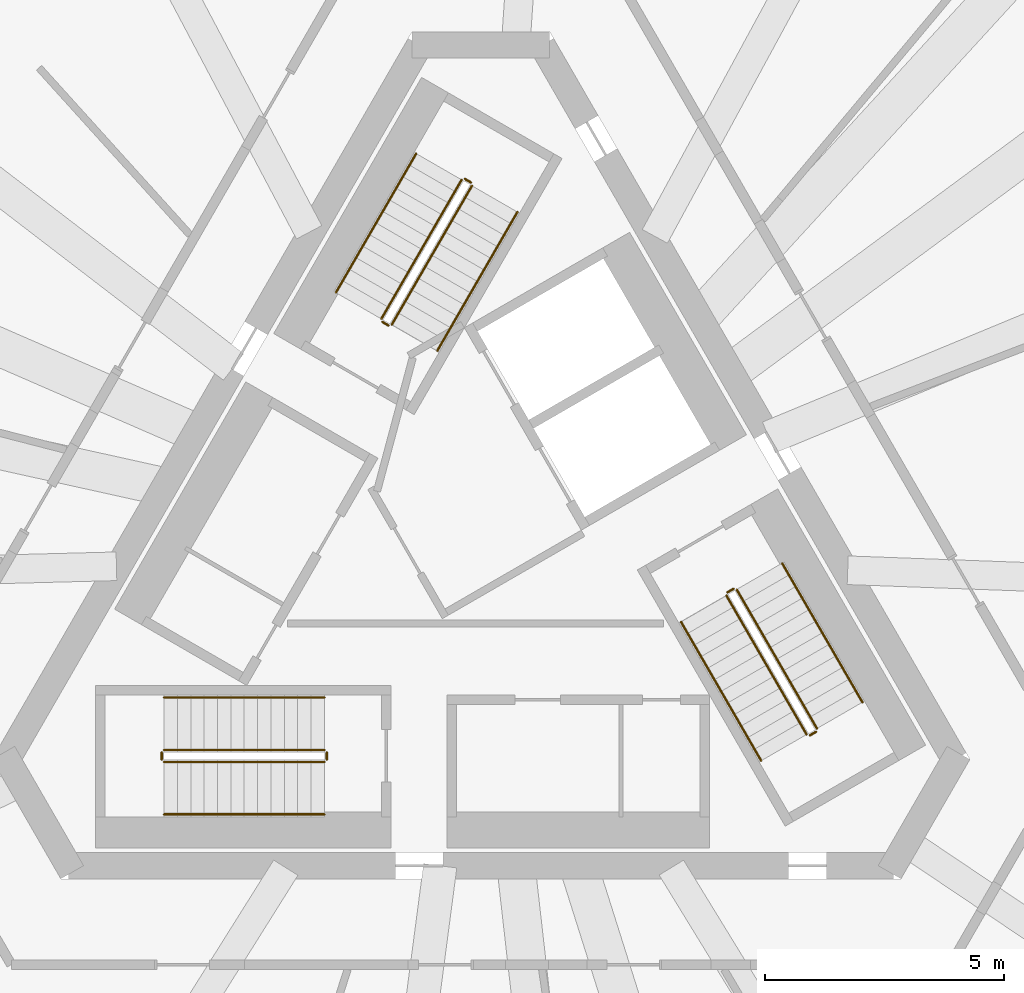
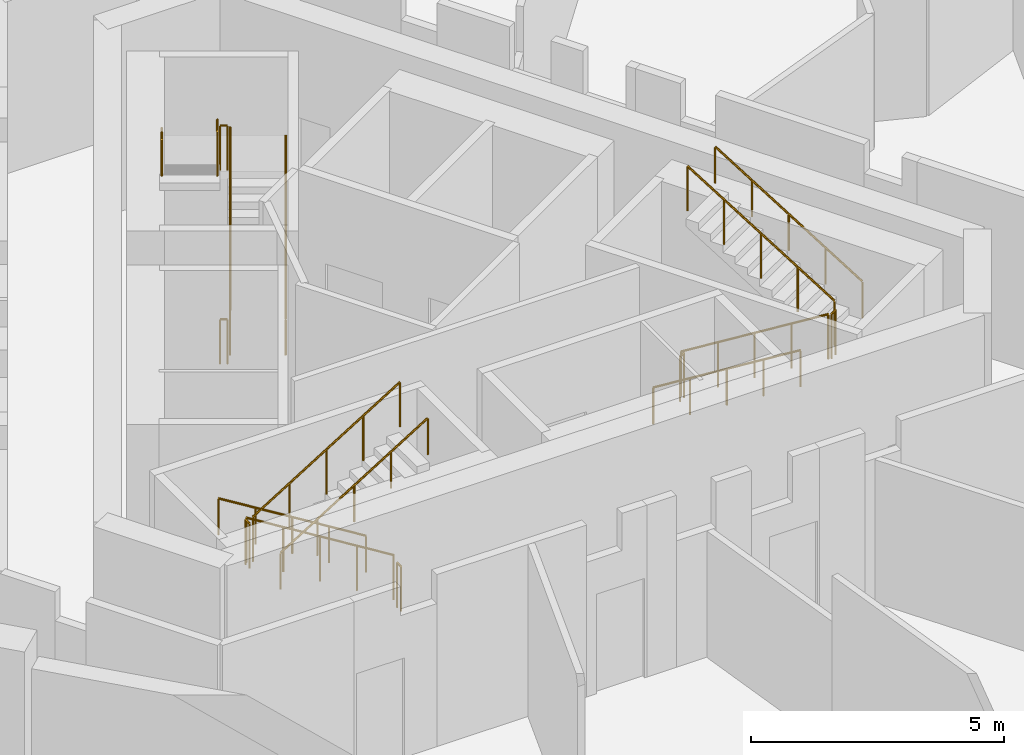
# One storey, part 5 of 5: 18 railings.
"""IFC4 building model written with IfcOpenShell, lengths in metres."""

import ifcopenshell
import ifcopenshell.guid

model = None  # the IFC model being written
_history = None  # IfcOwnerHistory: only IFC2X3 demands one
_inside = {}  # id of a spatial element -> (the spatial element, [elements in it])
_under = {}  # id of a project, library or spatial element -> (it, [spatial elements below it])
_declared = {}  # id of a project -> (the project, [libraries it declares])
_typed = {}  # id of a type object -> (the type object, [elements of that type])
_made_of = {}  # id of a material, layer set ... -> (it, [elements and type objects made of it])


def new_model(schema):
    """Start an empty IFC model of exactly this schema.

    Asked for "IFC4X3", IfcOpenShell would pick the latest addendum, in which some entities
    have other attributes; the version numbers below select the first issue.
    IFC2X3 requires an IfcOwnerHistory on every rooted entity: one is made here for all.
    """
    global model, _history
    if schema == "IFC4X3":
        model = ifcopenshell.file(schema_version=(4, 3, 0, 0))
    else:
        model = ifcopenshell.file(schema=schema)
    _inside.clear()
    _under.clear()
    _declared.clear()
    _typed.clear()
    _made_of.clear()
    _history = None
    if model.schema == "IFC2X3":
        org = make("IfcOrganization", Name="unknown")
        user = make(
            "IfcPersonAndOrganization",
            ThePerson=make("IfcPerson", FamilyName="unknown"),
            TheOrganization=org,
        )
        app = make(
            "IfcApplication",
            ApplicationDeveloper=org,
            Version="unknown",
            ApplicationFullName="unknown",
            ApplicationIdentifier="unknown",
        )
        _history = make(
            "IfcOwnerHistory",
            OwningUser=user,
            OwningApplication=app,
            ChangeAction="ADDED",
            CreationDate=0,
        )
    return model


def make(cls, **values):
    """One entity of the class cls with the attributes given. An attribute that is None is left unset."""
    return model.create_entity(
        cls, **{name: value for name, value in values.items() if value is not None}
    )


def rooted(cls, **values):
    """An entity with a GlobalId (a new one), such as an element, a storey or a relation."""
    return make(cls, GlobalId=ifcopenshell.guid.new(), OwnerHistory=_history, **values)


def si_unit(unit_type, name, prefix=None):
    """IfcSIUnit, for example si_unit("LENGTHUNIT", "METRE", prefix="MILLI")."""
    return make("IfcSIUnit", UnitType=unit_type, Prefix=prefix, Name=name)


def assignment(units):
    """IfcUnitAssignment: the units of a project."""
    return None if units is None else make("IfcUnitAssignment", Units=units)


def point(xyz):
    """IfcCartesianPoint."""
    return None if xyz is None else make("IfcCartesianPoint", Coordinates=xyz)


def direction(xyz):
    """IfcDirection."""
    return None if xyz is None else make("IfcDirection", DirectionRatios=xyz)


def frame(location, z_axis=None, x_axis=None):
    """IfcAxis2Placement3D, a coordinate frame: its origin and axes. An axis left out is left unset."""
    return make(
        "IfcAxis2Placement3D",
        Location=point(location),
        Axis=direction(z_axis),
        RefDirection=direction(x_axis),
    )


def frame_2d(location, x_axis=None):
    """IfcAxis2Placement2D, a coordinate frame in the plane: its origin and x axis."""
    return make(
        "IfcAxis2Placement2D", Location=point(location), RefDirection=direction(x_axis)
    )


def origin():
    """The frame at (0, 0, 0) with its axes left unset."""
    return frame((0.0, 0.0, 0.0))


def origin_2d():
    """The frame at (0, 0) in the plane with its x axis left unset."""
    return frame_2d((0.0, 0.0))


def place(relative_to, where):
    """IfcLocalPlacement: puts the frame where relative to a parent placement (None: the world)."""
    return make(
        "IfcLocalPlacement", PlacementRelTo=relative_to, RelativePlacement=where
    )


def context(
    kind, dimensions, precision=None, world=None, true_north=None, identifier=None
):
    """IfcGeometricRepresentationContext, for example the 3D "Model" context."""
    return make(
        "IfcGeometricRepresentationContext",
        ContextIdentifier=identifier,
        ContextType=kind,
        CoordinateSpaceDimension=dimensions,
        Precision=precision,
        WorldCoordinateSystem=world,
        TrueNorth=true_north,
    )


def subcontext(parent, identifier, kind, view, scale=None):
    """IfcGeometricRepresentationSubContext, for example "Body" below "Model"."""
    return make(
        "IfcGeometricRepresentationSubContext",
        ContextIdentifier=identifier,
        ContextType=kind,
        ParentContext=parent,
        TargetScale=scale,
        TargetView=view,
    )


def project(units=None, contexts=None):
    """IfcProject with its units and contexts."""
    return rooted(
        "IfcProject",
        Name="project",
        RepresentationContexts=contexts,
        UnitsInContext=assignment(units),
    )


def spatial(cls, under=None, at=None, **own):
    """A site, building, storey or space (cls), placed at a placement, below another one or the project."""
    s = rooted(cls, ObjectPlacement=at, **own)
    if under is not None:
        _under.setdefault(under.id(), (under, []))[1].append(s)
    return s


def profile(cls, at=None, kind="AREA", **sizes):
    """A parametric profile (cls). Its sizes go by their IFC names, for example OverallWidth=200.0."""
    return make(cls, ProfileType=kind, Position=at, **sizes)


def circle(**sizes):
    """IfcCircleProfileDef."""
    return profile("IfcCircleProfileDef", **sizes)


def extrude(swept, where, along, depth):
    """IfcExtrudedAreaSolid: the profile swept, set in the frame where, extruded along a direction by depth."""
    return make(
        "IfcExtrudedAreaSolid",
        SweptArea=swept,
        Position=where,
        ExtrudedDirection=direction(along),
        Depth=depth,
    )


def shape(context_of_items, identifier, shape_type, items):
    """IfcShapeRepresentation: the items that make up one representation, for example the "Body"."""
    return make(
        "IfcShapeRepresentation",
        ContextOfItems=context_of_items,
        RepresentationIdentifier=identifier,
        RepresentationType=shape_type,
        Items=items,
    )


def material(Name=None, Category=None):
    """IfcMaterial."""
    return make("IfcMaterial", Name=Name, Category=Category)


def made_of(thing, what):
    """Note that an element or type object is made of a material, layer set ...; save() writes the relation."""
    if what is not None:
        _made_of.setdefault(what.id(), (what, []))[1].append(thing)
    return thing


def type_object(cls, material=None, **own):
    """A type object (cls), such as IfcWallType, which elements share."""
    return made_of(rooted(cls, **own), material)


def element(
    cls,
    number,
    at=None,
    inside=None,
    cuts=None,
    type_object=None,
    material=None,
    context=None,
    identifier="Body",
    shape_type=None,
    held_by="IfcProductDefinitionShape",
    body=None,
    shapes=None,
    **own,
):
    """One element of the class cls, such as IfcWall. Its Tag is "e" and its number.

    at: its placement. inside: the storey or other place that contains it. cuts: it is an
    opening in that element (IfcRelVoidsElement). A single representation is given by context,
    identifier, shape_type and body (its items); several are given by shapes. held_by: the class
    of the entity that holds the representations. save() writes the other relations.
    """
    e = rooted(cls, Tag="e%d" % number, ObjectPlacement=at, **own)
    if body is not None:
        shapes = [shape(context, identifier, shape_type, body)]
    if shapes is not None:
        e.Representation = make(held_by, Representations=shapes)
    if inside is not None:
        _inside.setdefault(inside.id(), (inside, []))[1].append(e)
    if cuts is not None:
        rooted(
            "IfcRelVoidsElement", RelatingBuildingElement=cuts, RelatedOpeningElement=e
        )
    if type_object is not None:
        _typed.setdefault(type_object.id(), (type_object, []))[1].append(e)
    return made_of(e, material)


def aggregate(whole, parts):
    """IfcRelAggregates: a whole, such as a stair, and the parts it consists of."""
    return rooted("IfcRelAggregates", RelatingObject=whole, RelatedObjects=parts)


def save(model, path):
    """Write the relations noted so far, then the file.

    IfcRelAggregates (storeys below a building ...), IfcRelContainedInSpatialStructure (elements
    in a storey), IfcRelDefinesByType, IfcRelAssociatesMaterial and IfcRelDeclares: one each for
    every whole, place, type object, material and project.
    """
    for whole, parts in _under.values():
        aggregate(whole, parts)
    for where, things in _inside.values():
        rooted(
            "IfcRelContainedInSpatialStructure",
            RelatedElements=things,
            RelatingStructure=where,
        )
    for kind, things in _typed.values():
        rooted("IfcRelDefinesByType", RelatedObjects=things, RelatingType=kind)
    for what, things in _made_of.values():
        rooted("IfcRelAssociatesMaterial", RelatedObjects=things, RelatingMaterial=what)
    for by, libraries in _declared.values():
        rooted("IfcRelDeclares", RelatingContext=by, RelatedDefinitions=libraries)
    model.write(path)


model = new_model("IFC4")

# Units and contexts
model_context = context("Model", 3, precision=1e-05, world=origin(), true_north=direction((0.0, 1.0)))
body_context = subcontext(model_context, "Body", "Model", "MODEL_VIEW")
ifc_project = project(units=[si_unit("LENGTHUNIT", "METRE"), si_unit("AREAUNIT", "SQUARE_METRE"), si_unit("VOLUMEUNIT", "CUBIC_METRE"), si_unit("PLANEANGLEUNIT", "RADIAN"), si_unit("MASSUNIT", "GRAM", prefix="KILO")], contexts=[model_context])

# Site, building, storey
site_placement = place(None, origin())
site = spatial("IfcSite", under=ifc_project, at=site_placement, CompositionType="ELEMENT")
building_placement = place(site_placement, origin())
building = spatial("IfcBuilding", under=site, at=building_placement, Name="Tramontana Tower", CompositionType="ELEMENT")
storey_placement = place(building_placement, frame((0.0, 0.0, 365.89990234375)))
storey = spatial("IfcBuildingStorey", under=building, at=storey_placement, Name="L84", CompositionType="ELEMENT", Elevation=365.89990234375)

# Railings
ifc_material_1 = material(Name="Painted steel", Category="steel")
railing_type_1 = type_object("IfcRailingType", Name="STAIR GUARD 1100", PredefinedType="GUARDRAIL", material=ifc_material_1)
railing_1_placement = place(storey_placement, frame((-1.867431640625, 4.865478515625, 0.173095703125)))
element("IfcRailing", 1, at=railing_1_placement, inside=storey, type_object=railing_type_1, Name="L84 ST1 stair guard 1", PredefinedType="GUARDRAIL", context=body_context, shape_type="SweptSolid", body=[
    extrude(circle(Radius=0.02392578125, at=origin_2d()), frame((0.0, 0.0, 1.076171875), z_axis=(0.425288379326, 0.736667954249, 0.525785240943), x_axis=(-0.866039179741, 0.499976138585, 0.0)), (0.0, 0.0, 1.0), 3.9501953125),
    extrude(circle(Radius=0.02099609375, at=origin_2d()), origin(), (0.0, 0.0, 1.0), 1.052001953125),
    extrude(circle(Radius=0.02099609375, at=origin_2d()), frame((0.419921875, 0.7275390625, 0.519287109375)), (0.0, 0.0, 1.0), 1.052001953125),
    extrude(circle(Radius=0.02099609375, at=origin_2d()), frame((0.83984375, 1.455078125, 1.03857421875)), (0.0, 0.0, 1.0), 1.052001953125),
    extrude(circle(Radius=0.02099609375, at=origin_2d()), frame((1.260009765625, 2.182373046875, 1.5576171875)), (0.0, 0.0, 1.0), 1.052001953125),
    extrude(circle(Radius=0.02099609375, at=origin_2d()), frame((1.679931640625, 2.909912109375, 2.076904296875)), (0.0, 0.0, 1.0), 1.052001953125),
])
railing_2_placement = place(storey_placement, frame((-0.40380859375, 7.900390625, 2.423095703125)))
element("IfcRailing", 2, at=railing_2_placement, inside=storey, type_object=railing_type_1, Name="L84 ST1 stair guard 2", PredefinedType="GUARDRAIL", context=body_context, shape_type="SweptSolid", body=[
    extrude(circle(Radius=0.02392578125, at=origin_2d()), frame((0.0, 0.0, 1.076171875), z_axis=(-0.42533900462, -0.736648589954, 0.52577141998), x_axis=(0.866007717299, -0.500030632641, 0.0)), (0.0, 0.0, 1.0), 3.9501953125),
    extrude(circle(Radius=0.02099609375, at=origin_2d()), origin(), (0.0, 0.0, 1.0), 1.052001953125),
    extrude(circle(Radius=0.02099609375, at=origin_2d()), frame((-0.419921875, -0.7275390625, 0.519287109375)), (0.0, 0.0, 1.0), 1.052001953125),
    extrude(circle(Radius=0.02099609375, at=origin_2d()), frame((-0.840087890625, -1.455078125, 1.03857421875)), (0.0, 0.0, 1.0), 1.052001953125),
    extrude(circle(Radius=0.02099609375, at=origin_2d()), frame((-1.26025390625, -2.182373046875, 1.5576171875)), (0.0, 0.0, 1.0), 1.052001953125),
    extrude(circle(Radius=0.02099609375, at=origin_2d()), frame((-1.68017578125, -2.909912109375, 2.076904296875)), (0.0, 0.0, 1.0), 1.052001953125),
])
railing_3_placement = place(storey_placement, frame((-0.205810546875, 7.84375, 2.25)))
element("IfcRailing", 3, at=railing_3_placement, inside=storey, type_object=railing_type_1, Name="L84 ST1 stair guard 3", PredefinedType="GUARDRAIL", context=body_context, shape_type="SweptSolid", body=[
    extrude(circle(Radius=0.02392578125, at=origin_2d()), frame((0.0, 0.0, 1.076171875), z_axis=(-0.866131372301, 0.499816412211, 0.0), x_axis=(-0.499816412211, -0.866131372301, 0.0)), (0.0, 0.0, 1.0), 0.14990234375),
    extrude(circle(Radius=0.02099609375, at=origin_2d()), origin(), (0.0, 0.0, 1.0), 1.052001953125),
    extrude(circle(Radius=0.02099609375, at=origin_2d()), frame((-0.1298828125, 0.074951171875, 0.0)), (0.0, 0.0, 1.0), 1.052001953125),
])
railing_4_placement = place(storey_placement, frame((-1.935791015625, 4.84716796875, 0.0)))
element("IfcRailing", 4, at=railing_4_placement, inside=storey, type_object=railing_type_1, Name="L84 ST1 stair guard 4", PredefinedType="GUARDRAIL", context=body_context, shape_type="SweptSolid", body=[
    extrude(circle(Radius=0.02392578125, at=origin_2d()), frame((0.0, 0.0, 1.076171875), z_axis=(-0.865426285481, 0.501036270542, 0.0), x_axis=(-0.501036270542, -0.865426285481, 0.0)), (0.0, 0.0, 1.0), 0.150146484375),
    extrude(circle(Radius=0.02099609375, at=origin_2d()), origin(), (0.0, 0.0, 1.0), 1.052001953125),
    extrude(circle(Radius=0.02099609375, at=origin_2d()), frame((-0.1298828125, 0.0751953125, 0.0)), (0.0, 0.0, 1.0), 1.052001953125),
])
railing_5_placement = place(storey_placement, frame((-3.280029296875, -4.050048828125, 0.173095703125)))
element("IfcRailing", 5, at=railing_5_placement, inside=storey, type_object=railing_type_1, Name="L84 ST2 stair guard 1", PredefinedType="GUARDRAIL", context=body_context, shape_type="SweptSolid", body=[
    extrude(circle(Radius=0.02392578125, at=origin_2d()), frame((0.0, 0.0, 1.076171875), z_axis=(-0.850606129759, 0.0, 0.525803396734), x_axis=(0.0, -1.0, 0.0)), (0.0, 0.0, 1.0), 3.949951171875),
    extrude(circle(Radius=0.02099609375, at=origin_2d()), origin(), (0.0, 0.0, 1.0), 1.052001953125),
    extrude(circle(Radius=0.02099609375, at=origin_2d()), frame((-0.83984375, 0.0, 0.519287109375)), (0.0, 0.0, 1.0), 1.052001953125),
    extrude(circle(Radius=0.02099609375, at=origin_2d()), frame((-1.679931640625, 0.0, 1.03857421875)), (0.0, 0.0, 1.0), 1.052001953125),
    extrude(circle(Radius=0.02099609375, at=origin_2d()), frame((-2.52001953125, 0.0, 1.5576171875)), (0.0, 0.0, 1.0), 1.052001953125),
    extrude(circle(Radius=0.02099609375, at=origin_2d()), frame((-3.35986328125, 0.0, 2.076904296875)), (0.0, 0.0, 1.0), 1.052001953125),
])
railing_6_placement = place(storey_placement, frame((-6.639892578125, -4.300048828125, 2.423095703125)))
element("IfcRailing", 6, at=railing_6_placement, inside=storey, type_object=railing_type_1, Name="L84 ST2 stair guard 2", PredefinedType="GUARDRAIL", context=body_context, shape_type="SweptSolid", body=[
    extrude(circle(Radius=0.02392578125, at=origin_2d()), frame((0.0, 0.0, 1.076171875), z_axis=(0.850606129759, 0.0, 0.525803396734), x_axis=(0.0, 1.0, 0.0)), (0.0, 0.0, 1.0), 3.949951171875),
    extrude(circle(Radius=0.02099609375, at=origin_2d()), origin(), (0.0, 0.0, 1.0), 1.052001953125),
    extrude(circle(Radius=0.02099609375, at=origin_2d()), frame((0.83984375, 0.0, 0.519287109375)), (0.0, 0.0, 1.0), 1.052001953125),
    extrude(circle(Radius=0.02099609375, at=origin_2d()), frame((1.679931640625, 0.0, 1.03857421875)), (0.0, 0.0, 1.0), 1.052001953125),
    extrude(circle(Radius=0.02099609375, at=origin_2d()), frame((2.52001953125, 0.0, 1.5576171875)), (0.0, 0.0, 1.0), 1.052001953125),
    extrude(circle(Radius=0.02099609375, at=origin_2d()), frame((3.35986328125, 0.0, 2.076904296875)), (0.0, 0.0, 1.0), 1.052001953125),
])
for number, where, name in (
    (7, (-6.68994140625, -4.10009765625, 2.25), "L84 ST2 stair guard 3"),
    (8, (-3.22998046875, -4.10009765625, 0.0), "L84 ST2 stair guard 4"),
):
    element("IfcRailing", number, at=place(storey_placement, frame(where)), inside=storey, type_object=railing_type_1, Name=name, PredefinedType="GUARDRAIL", context=body_context, shape_type="SweptSolid", body=[
        extrude(circle(Radius=0.02392578125, at=origin_2d()), frame((0.0, 0.0, 1.076171875), z_axis=(0.0, -1.0, 0.0), x_axis=(1.0, 0.0, 0.0)), (0.0, 0.0, 1.0), 0.14990234375),
        extrude(circle(Radius=0.02099609375, at=origin_2d()), origin(), (0.0, 0.0, 1.0), 1.052001953125),
        extrude(circle(Radius=0.02099609375, at=origin_2d()), frame((0.0, -0.14990234375, 0.0)), (0.0, 0.0, 1.0), 1.052001953125),
    ])
railing_7_placement = place(storey_placement, frame((5.1474609375, -0.815673828125, 0.173095703125)))
element("IfcRailing", 9, at=railing_7_placement, inside=storey, type_object=railing_type_1, Name="L84 ST3 stair guard 1", PredefinedType="GUARDRAIL", context=body_context, shape_type="SweptSolid", body=[
    extrude(circle(Radius=0.02392578125, at=origin_2d()), frame((0.0, 0.0, 1.076171875), z_axis=(0.425307743487, -0.736639687092, 0.525809180911), x_axis=(0.866021014662, 0.500007602105, 0.0)), (0.0, 0.0, 1.0), 3.949951171875),
    extrude(circle(Radius=0.02099609375, at=origin_2d()), origin(), (0.0, 0.0, 1.0), 1.052001953125),
    extrude(circle(Radius=0.02099609375, at=origin_2d()), frame((0.419921875, -0.7275390625, 0.519287109375)), (0.0, 0.0, 1.0), 1.052001953125),
    extrude(circle(Radius=0.02099609375, at=origin_2d()), frame((0.83984375, -1.454833984375, 1.03857421875)), (0.0, 0.0, 1.0), 1.052001953125),
    extrude(circle(Radius=0.02099609375, at=origin_2d()), frame((1.260009765625, -2.18212890625, 1.5576171875)), (0.0, 0.0, 1.0), 1.052001953125),
    extrude(circle(Radius=0.02099609375, at=origin_2d()), frame((1.679931640625, -2.90966796875, 2.076904296875)), (0.0, 0.0, 1.0), 1.052001953125),
])
railing_8_placement = place(storey_placement, frame((7.0439453125, -3.600341796875, 2.423095703125)))
element("IfcRailing", 10, at=railing_8_placement, inside=storey, type_object=railing_type_1, Name="L84 ST3 stair guard 2", PredefinedType="GUARDRAIL", context=body_context, shape_type="SweptSolid", body=[
    extrude(circle(Radius=0.02392578125, at=origin_2d()), frame((0.0, 0.0, 1.076171875), z_axis=(-0.425307743487, 0.736639687092, 0.525809180911), x_axis=(-0.866021014662, -0.500007602105, 0.0)), (0.0, 0.0, 1.0), 3.949951171875),
    extrude(circle(Radius=0.02099609375, at=origin_2d()), origin(), (0.0, 0.0, 1.0), 1.052001953125),
    extrude(circle(Radius=0.02099609375, at=origin_2d()), frame((-0.419921875, 0.7275390625, 0.519287109375)), (0.0, 0.0, 1.0), 1.052001953125),
    extrude(circle(Radius=0.02099609375, at=origin_2d()), frame((-0.83984375, 1.454833984375, 1.03857421875)), (0.0, 0.0, 1.0), 1.052001953125),
    extrude(circle(Radius=0.02099609375, at=origin_2d()), frame((-1.260009765625, 2.18212890625, 1.5576171875)), (0.0, 0.0, 1.0), 1.052001953125),
    extrude(circle(Radius=0.02099609375, at=origin_2d()), frame((-1.679931640625, 2.90966796875, 2.076904296875)), (0.0, 0.0, 1.0), 1.052001953125),
])
for number, where, name in (
    (11, (6.895751953125, -3.74365234375, 2.25), "L84 ST3 stair guard 3"),
    (12, (5.165771484375, -0.747314453125, 0.0), "L84 ST3 stair guard 4"),
):
    element("IfcRailing", number, at=place(storey_placement, frame(where)), inside=storey, type_object=railing_type_1, Name=name, PredefinedType="GUARDRAIL", context=body_context, shape_type="SweptSolid", body=[
        extrude(circle(Radius=0.02392578125, at=origin_2d()), frame((0.0, 0.0, 1.076171875), z_axis=(0.866131372301, 0.499816412211, 0.0), x_axis=(-0.499816412211, 0.866131372301, 0.0)), (0.0, 0.0, 1.0), 0.14990234375),
        extrude(circle(Radius=0.02099609375, at=origin_2d()), origin(), (0.0, 0.0, 1.0), 1.052001953125),
        extrude(circle(Radius=0.02099609375, at=origin_2d()), frame((0.1298828125, 0.074951171875, 0.0)), (0.0, 0.0, 1.0), 1.052001953125),
    ])
ifc_material_2 = material(Name="Painted steel", Category="steel")
railing_type_2 = type_object("IfcRailingType", Name="STAIR HANDRAIL 900", PredefinedType="HANDRAIL", material=ifc_material_2)
railing_9_placement = place(storey_placement, frame((-0.914794921875, 4.315673828125, 0.173095703125)))
element("IfcRailing", 13, at=railing_9_placement, inside=storey, type_object=railing_type_2, Name="L84 ST1 stair handrail 1", PredefinedType="HANDRAIL", context=body_context, shape_type="SweptSolid", body=[
    extrude(circle(Radius=0.02392578125, at=origin_2d()), frame((0.0, 0.0, 0.8759765625), z_axis=(0.425307743487, 0.736639687092, 0.525809180911), x_axis=(-0.866021014662, 0.500007602105, 0.0)), (0.0, 0.0, 1.0), 3.949951171875),
    extrude(circle(Radius=0.02099609375, at=origin_2d()), origin(), (0.0, 0.0, 1.0), 0.851806640625),
    extrude(circle(Radius=0.02099609375, at=origin_2d()), frame((0.419921875, 0.7275390625, 0.519287109375)), (0.0, 0.0, 1.0), 0.851806640625),
    extrude(circle(Radius=0.02099609375, at=origin_2d()), frame((0.83984375, 1.454833984375, 1.03857421875)), (0.0, 0.0, 1.0), 0.851806640625),
    extrude(circle(Radius=0.02099609375, at=origin_2d()), frame((1.260009765625, 2.18212890625, 1.5576171875)), (0.0, 0.0, 1.0), 0.851806640625),
    extrude(circle(Radius=0.02099609375, at=origin_2d()), frame((1.679931640625, 2.90966796875, 2.076904296875)), (0.0, 0.0, 1.0), 0.851806640625),
])
railing_10_placement = place(storey_placement, frame((-1.3564453125, 8.450439453125, 2.423095703125)))
element("IfcRailing", 14, at=railing_10_placement, inside=storey, type_object=railing_type_2, Name="L84 ST1 stair handrail 2", PredefinedType="HANDRAIL", context=body_context, shape_type="SweptSolid", body=[
    extrude(circle(Radius=0.02392578125, at=origin_2d()), frame((0.0, 0.0, 0.8759765625), z_axis=(-0.42533900462, -0.736648589954, 0.52577141998), x_axis=(0.866007717299, -0.500030632641, 0.0)), (0.0, 0.0, 1.0), 3.9501953125),
    extrude(circle(Radius=0.02099609375, at=origin_2d()), origin(), (0.0, 0.0, 1.0), 0.851806640625),
    extrude(circle(Radius=0.02099609375, at=origin_2d()), frame((-0.419921875, -0.7275390625, 0.519287109375)), (0.0, 0.0, 1.0), 0.851806640625),
    extrude(circle(Radius=0.02099609375, at=origin_2d()), frame((-0.840087890625, -1.455078125, 1.03857421875)), (0.0, 0.0, 1.0), 0.851806640625),
    extrude(circle(Radius=0.02099609375, at=origin_2d()), frame((-1.26025390625, -2.182373046875, 1.5576171875)), (0.0, 0.0, 1.0), 0.851806640625),
    extrude(circle(Radius=0.02099609375, at=origin_2d()), frame((-1.68017578125, -2.909912109375, 2.076904296875)), (0.0, 0.0, 1.0), 0.851806640625),
])
railing_11_placement = place(storey_placement, frame((-3.280029296875, -2.949951171875, 0.173095703125)))
element("IfcRailing", 15, at=railing_11_placement, inside=storey, type_object=railing_type_2, Name="L84 ST2 stair handrail 1", PredefinedType="HANDRAIL", context=body_context, shape_type="SweptSolid", body=[
    extrude(circle(Radius=0.02392578125, at=origin_2d()), frame((0.0, 0.0, 0.8759765625), z_axis=(-0.850606129759, 0.0, 0.525803396734), x_axis=(0.0, -1.0, 0.0)), (0.0, 0.0, 1.0), 3.949951171875),
    extrude(circle(Radius=0.02099609375, at=origin_2d()), origin(), (0.0, 0.0, 1.0), 0.851806640625),
    extrude(circle(Radius=0.02099609375, at=origin_2d()), frame((-0.83984375, 0.0, 0.519287109375)), (0.0, 0.0, 1.0), 0.851806640625),
    extrude(circle(Radius=0.02099609375, at=origin_2d()), frame((-1.679931640625, 0.0, 1.03857421875)), (0.0, 0.0, 1.0), 0.851806640625),
    extrude(circle(Radius=0.02099609375, at=origin_2d()), frame((-2.52001953125, 0.0, 1.5576171875)), (0.0, 0.0, 1.0), 0.851806640625),
    extrude(circle(Radius=0.02099609375, at=origin_2d()), frame((-3.35986328125, 0.0, 2.076904296875)), (0.0, 0.0, 1.0), 0.851806640625),
])
railing_12_placement = place(storey_placement, frame((-6.639892578125, -5.39990234375, 2.423095703125)))
element("IfcRailing", 16, at=railing_12_placement, inside=storey, type_object=railing_type_2, Name="L84 ST2 stair handrail 2", PredefinedType="HANDRAIL", context=body_context, shape_type="SweptSolid", body=[
    extrude(circle(Radius=0.02392578125, at=origin_2d()), frame((0.0, 0.0, 0.8759765625), z_axis=(0.850606129759, 0.0, 0.525803396734), x_axis=(0.0, 1.0, 0.0)), (0.0, 0.0, 1.0), 3.949951171875),
    extrude(circle(Radius=0.02099609375, at=origin_2d()), origin(), (0.0, 0.0, 1.0), 0.851806640625),
    extrude(circle(Radius=0.02099609375, at=origin_2d()), frame((0.83984375, 0.0, 0.519287109375)), (0.0, 0.0, 1.0), 0.851806640625),
    extrude(circle(Radius=0.02099609375, at=origin_2d()), frame((1.679931640625, 0.0, 1.03857421875)), (0.0, 0.0, 1.0), 0.851806640625),
    extrude(circle(Radius=0.02099609375, at=origin_2d()), frame((2.52001953125, 0.0, 1.5576171875)), (0.0, 0.0, 1.0), 0.851806640625),
    extrude(circle(Radius=0.02099609375, at=origin_2d()), frame((3.35986328125, 0.0, 2.076904296875)), (0.0, 0.0, 1.0), 0.851806640625),
])
railing_13_placement = place(storey_placement, frame((4.19482421875, -1.365478515625, 0.173095703125)))
element("IfcRailing", 17, at=railing_13_placement, inside=storey, type_object=railing_type_2, Name="L84 ST3 stair handrail 1", PredefinedType="HANDRAIL", context=body_context, shape_type="SweptSolid", body=[
    extrude(circle(Radius=0.02392578125, at=origin_2d()), frame((0.0, 0.0, 0.8759765625), z_axis=(0.425288379326, -0.736667954249, 0.525785240943), x_axis=(0.866039179741, 0.499976138585, 0.0)), (0.0, 0.0, 1.0), 3.9501953125),
    extrude(circle(Radius=0.02099609375, at=origin_2d()), origin(), (0.0, 0.0, 1.0), 0.851806640625),
    extrude(circle(Radius=0.02099609375, at=origin_2d()), frame((0.419921875, -0.7275390625, 0.519287109375)), (0.0, 0.0, 1.0), 0.851806640625),
    extrude(circle(Radius=0.02099609375, at=origin_2d()), frame((0.83984375, -1.455078125, 1.03857421875)), (0.0, 0.0, 1.0), 0.851806640625),
    extrude(circle(Radius=0.02099609375, at=origin_2d()), frame((1.260009765625, -2.182373046875, 1.5576171875)), (0.0, 0.0, 1.0), 0.851806640625),
    extrude(circle(Radius=0.02099609375, at=origin_2d()), frame((1.679931640625, -2.909912109375, 2.076904296875)), (0.0, 0.0, 1.0), 0.851806640625),
])
railing_14_placement = place(storey_placement, frame((7.99658203125, -3.05029296875, 2.423095703125)))
element("IfcRailing", 18, at=railing_14_placement, inside=storey, type_object=railing_type_2, Name="L84 ST3 stair handrail 2", PredefinedType="HANDRAIL", context=body_context, shape_type="SweptSolid", body=[
    extrude(circle(Radius=0.02392578125, at=origin_2d()), frame((0.0, 0.0, 0.8759765625), z_axis=(-0.425307743487, 0.736639687092, 0.525809180911), x_axis=(-0.866021014662, -0.500007602105, 0.0)), (0.0, 0.0, 1.0), 3.949951171875),
    extrude(circle(Radius=0.02099609375, at=origin_2d()), origin(), (0.0, 0.0, 1.0), 0.851806640625),
    extrude(circle(Radius=0.02099609375, at=origin_2d()), frame((-0.419921875, 0.7275390625, 0.519287109375)), (0.0, 0.0, 1.0), 0.851806640625),
    extrude(circle(Radius=0.02099609375, at=origin_2d()), frame((-0.83984375, 1.454833984375, 1.03857421875)), (0.0, 0.0, 1.0), 0.851806640625),
    extrude(circle(Radius=0.02099609375, at=origin_2d()), frame((-1.260009765625, 2.18212890625, 1.5576171875)), (0.0, 0.0, 1.0), 0.851806640625),
    extrude(circle(Radius=0.02099609375, at=origin_2d()), frame((-1.679931640625, 2.90966796875, 2.076904296875)), (0.0, 0.0, 1.0), 0.851806640625),
])

save(model, "model.ifc")
